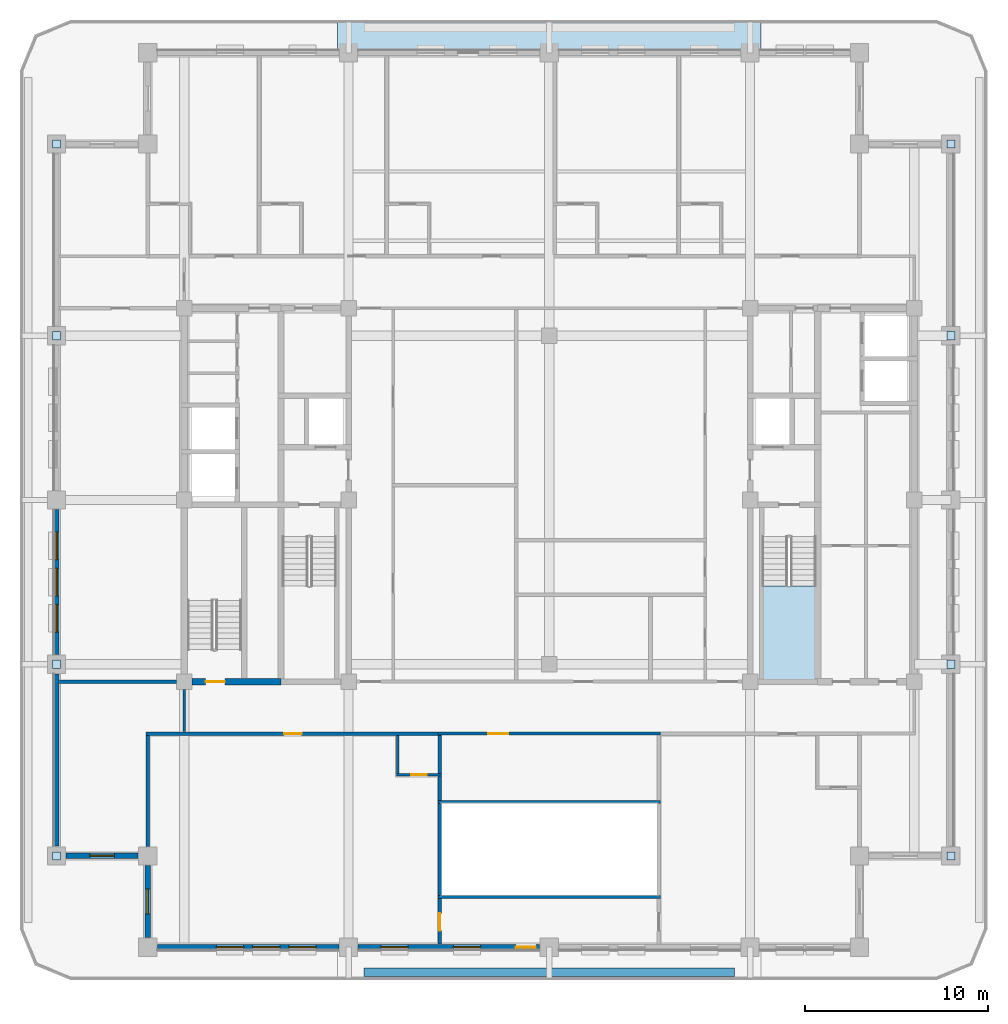
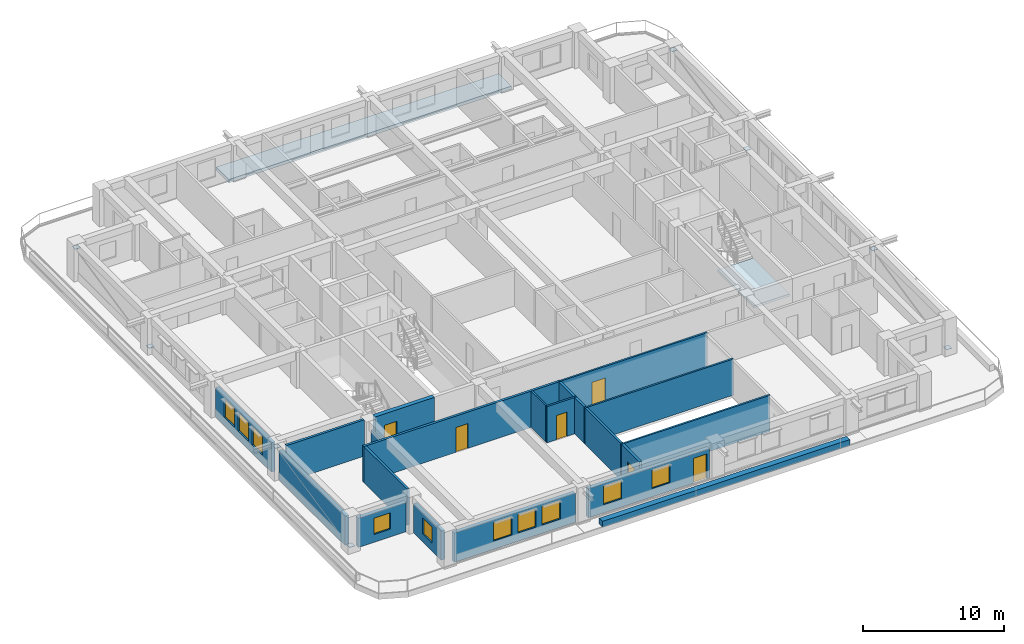
# One storey, part 2 of 14: 21 walls, 10 windows, 8 plates, 6 doors, 2 slabs, 16 openings, 1 element without a shape of its own.
"""IFC4 building model written with IfcOpenShell, lengths in metres."""

from ifc_helpers import new_model, si_unit, direction, frame, frame_2d, origin, origin_2d, place, context, subcontext, project, spatial, polyline, rectangle, outline, extrude, material, layer, layer_set, type_object, element, fill, aggregate, save


model = new_model("IFC4")

# Units and contexts
model_context = context("Model", 3, precision=1e-05, world=origin(), true_north=direction((0.0, 1.0)))
body_context = subcontext(model_context, "Body", "Model", "MODEL_VIEW")
ifc_project = project(units=[si_unit("LENGTHUNIT", "METRE"), si_unit("AREAUNIT", "SQUARE_METRE"), si_unit("VOLUMEUNIT", "CUBIC_METRE"), si_unit("PLANEANGLEUNIT", "RADIAN"), si_unit("MASSUNIT", "GRAM", prefix="KILO")], contexts=[model_context])

# Site, building, storey
site_placement = place(None, origin())
site = spatial("IfcSite", under=ifc_project, at=site_placement, CompositionType="ELEMENT")
building_placement = place(site_placement, origin())
building = spatial("IfcBuilding", under=site, at=building_placement, Name="Zulmaris Gate Convention Tower", CompositionType="ELEMENT")
storey_placement = place(building_placement, frame((0.0, 0.0, 215.260009765625)))
storey = spatial("IfcBuildingStorey", under=building, at=storey_placement, Name="L56", CompositionType="ELEMENT", Elevation=215.260009765625)

# Plates
ifc_material_1 = material(Name="Steel S460", Category="steel")
ifc_layer_1 = layer(ifc_material_1, 0.02490234375, Name="Steel S460")
ifc_layer_set_1 = layer_set([ifc_layer_1], Name="Steel S460")
plate_type = type_object("IfcPlateType", Name="NP-CAP-440", PredefinedType="USERDEFINED", material=ifc_layer_set_1)
for number, where, z_axis, x_axis, name in (
    (1, (-27.0, -19.5, 0.28759765625), (0.0, 0.0, 1.0), (1.0, 0.0, 0.0), "L56 Steel Node Plate PBR-L56-SW-W-CAP"),
    (2, (-27.0, -9.0, 2.517333984375), (0.0, 0.0, 1.0), (1.0, 0.0, 0.0), "L56 Steel Node Plate PBR-L56-SW-W-CAPB"),
    (3, (-27.0, 9.0, 0.28759765625), (0.0, 0.0, 1.0), (1.0, 0.0, 0.0), "L56 Steel Node Plate PBR-L56-NW-W-CAP"),
    (4, (-27.0, 19.5, 2.517333984375), (0.0, 0.0, 1.0), (1.0, 0.0, 0.0), "L56 Steel Node Plate PBR-L56-NW-W-CAPB"),
    (5, (22.0, -19.5, 0.28759765625), (0.0, 0.0, 1.0), (1.0, 0.0, 0.0), "L56 Steel Node Plate PBR-L56-SE-E-CAP"),
    (6, (22.0, -9.0, 2.517333984375), (0.0, 0.0, 1.0), (1.0, 0.0, 0.0), "L56 Steel Node Plate PBR-L56-SE-E-CAPB"),
    (7, (22.0, 9.0, 0.28759765625), (0.0, 0.0, 1.0), (1.0, 0.0, 0.0), "L56 Steel Node Plate PBR-L56-NE-E-CAP"),
    (8, (22.0, 19.5, 2.517333984375), (0.0, 0.0, 1.0), (1.0, 0.0, 0.0), "L56 Steel Node Plate PBR-L56-NE-E-CAPB"),
):
    element("IfcPlate", number, at=place(storey_placement, frame(where, z_axis=z_axis, x_axis=x_axis)), inside=storey, type_object=plate_type, Name=name, ObjectType="FLANGE PLATE", PredefinedType="USERDEFINED", context=body_context, shape_type="SweptSolid", body=[
        extrude(rectangle(XDim=0.43994140625, YDim=0.43994140625, at=origin_2d()), origin(), (0.0, 0.0, 1.0), 0.02490234375),
    ])

# Slab
ifc_material_2 = material(Name="Precast concrete C50/60", Category="concrete")
ifc_layer_2 = layer(ifc_material_2, 0.260009765625, Name="Precast concrete C50/60")
ifc_layer_set_2 = layer_set([ifc_layer_2], Name="Precast concrete C50/60")
slab_type_1 = type_object("IfcSlabType", Name="SL-BAL-260", PredefinedType="FLOOR", material=ifc_layer_set_2)
slab_1_placement = place(storey_placement, frame((0.0, 0.0, -0.324951171875)))
element("IfcSlab", 9, at=slab_1_placement, inside=storey, type_object=slab_type_1, Name="L56 North Tree-Balcony Planter Slab", PredefinedType="FLOOR", context=body_context, shape_type="SweptSolid", body=[
    extrude(outline(polyline([(11.597900390625, 26.300048828125), (11.597900390625, 24.5), (-11.597900390625, 24.5), (-11.597900390625, 26.300048828125), (11.597900390625, 26.300048828125)])), origin(), (0.0, 0.0, 1.0), 0.284912109375),
])

# Stair, slab
ifc_material_3 = material(Name="Concrete C45/55", Category="concrete")
stair_type = type_object("IfcStairType", Name="ST-CORE-DOGLEG", PredefinedType="HALF_TURN_STAIR", material=ifc_material_3)
stair_placement = place(storey_placement, origin())
stair = element("IfcStair", 10, at=stair_placement, inside=storey, type_object=stair_type, Name="L56 Core Exit Stair ST-2", PredefinedType="HALF_TURN_STAIR")
ifc_layer_3 = layer(ifc_material_3, 0.199951171875, Name="Concrete C45/55")
ifc_layer_set_3 = layer_set([ifc_layer_3], Name="Concrete C45/55")
slab_type_2 = type_object("IfcSlabType", Name="SL-LND-200", PredefinedType="LANDING", material=ifc_layer_set_3)
slab_2_placement = place(storey_placement, frame((0.0, 0.0, 1.5)))
slab_2 = element("IfcSlab", 11, at=slab_2_placement, type_object=slab_type_2, Name="ST-2 landing 1", PredefinedType="LANDING", context=body_context, shape_type="SweptSolid", body=[
    extrude(outline(polyline([(11.659912109375, -4.699951171875), (11.659912109375, -9.85009765625), (14.6201171875, -9.85009765625), (14.6201171875, -4.699951171875), (11.659912109375, -4.699951171875)])), origin(), (0.0, 0.0, 1.0), 0.199951171875),
])
aggregate(stair, [slab_2])

# Wall, opening, door
ifc_material_4 = material(Name="Concrete C55/67", Category="concrete")
ifc_layer_4 = layer(ifc_material_4, 0.35009765625, Name="Concrete C55/67")
ifc_layer_set_4 = layer_set([ifc_layer_4], Name="Concrete C55/67")
wall_type_1 = type_object("IfcWallType", Name="CORE-350", PredefinedType="SHEAR", material=ifc_layer_set_4)
wall_1_placement = place(storey_placement, frame((-19.571044921875, -9.949951171875, 0.0), z_axis=(0.0, 0.0, 1.0), x_axis=(1.0, 0.0, 0.0)))
wall_1 = element("IfcWall", 12, at=wall_1_placement, inside=storey, type_object=wall_type_1, Name="WL-L56-001", PredefinedType="SHEAR", context=body_context, shape_type="SweptSolid", body=[
    extrude(rectangle(XDim=4.87109375, YDim=0.35009765625, at=frame_2d((2.435546875, 0.0))), origin(), (0.0, 0.0, 1.0), 3.14990234375),
])
opening_1_placement = place(wall_1_placement, frame((0.74609375, 0.0, 0.0)))
opening_1 = element("IfcOpeningElement", 13, at=opening_1_placement, cuts=wall_1, Name="Opening D-09", PredefinedType="OPENING", context=body_context, shape_type="SweptSolid", body=[
    extrude(rectangle(XDim=1.050048828125, YDim=2.14990234375, at=frame_2d((0.52490234375, 1.074951171875))), frame((0.0, 0.18505859375, 0.0), z_axis=(0.0, -1.0, 0.0), x_axis=(1.0, 0.0, 0.0)), (0.0, 0.0, 1.0), 0.3701171875),
])
ifc_material_5 = material(Name="Fire-Rated Steel", Category="steel")
door_type_1 = type_object("IfcDoorType", Name="DR-1050-FD", OperationType="NOTDEFINED", PredefinedType="DOOR", material=ifc_material_5)
door_1_placement = place(opening_1_placement, origin())
door_1 = element("IfcDoor", 14, at=door_1_placement, inside=storey, type_object=door_type_1, Name="L56 Exit Stair ST-3 Door 10", OperationType="SINGLE_SWING_LEFT", OverallHeight=2.14990234375, OverallWidth=1.050048828125, PredefinedType="DOOR", context=body_context, shape_type="SweptSolid", body=[
    extrude(rectangle(XDim=1.050048828125, YDim=2.14990234375, at=frame_2d((0.52490234375, 1.074951171875))), frame((0.0, 0.02490234375, 0.0), z_axis=(0.0, -1.0, 0.0), x_axis=(1.0, 0.0, 0.0)), (0.0, 0.0, 1.0), 0.050048828125),
])
fill(opening_1, door_1)

# Walls
ifc_material_6 = material(Name="Gypsum Metal Stud Partition")
ifc_layer_5 = layer(ifc_material_6, 0.14990234375, Name="Gypsum Metal Stud Partition")
ifc_layer_set_5 = layer_set([ifc_layer_5], Name="Gypsum Metal Stud Partition")
wall_type_2 = type_object("IfcWallType", Name="PART-150", PredefinedType="PARTITIONING", material=ifc_layer_set_5)
for number, where, z_axis, x_axis, name in (
    (15, (-6.10009765625, -21.75, 0.0), (0.0, 0.0, 1.0), (1.0, 0.0, 0.0), "WL-L56-019"),
    (16, (-6.10009765625, -16.550048828125, 0.0), (0.0, 0.0, 1.0), (1.0, 0.0, 0.0), "WL-L56-020"),
):
    element("IfcWall", number, at=place(storey_placement, frame(where, z_axis=z_axis, x_axis=x_axis)), inside=storey, type_object=wall_type_2, Name=name, PredefinedType="PARTITIONING", context=body_context, shape_type="SweptSolid", body=[
        extrude(rectangle(XDim=12.2001953125, YDim=0.14990234375, at=frame_2d((6.10009765625, 0.0))), origin(), (0.0, 0.0, 1.0), 3.14990234375),
    ])

# Wall, opening, door
wall_2_placement = place(storey_placement, frame((-8.375, -15.050048828125, 0.0), z_axis=(0.0, 0.0, 1.0), x_axis=(1.0, 0.0, 0.0)))
wall_2 = element("IfcWall", 17, at=wall_2_placement, inside=storey, type_object=wall_type_2, Name="WL-L56-022", PredefinedType="PARTITIONING", context=body_context, shape_type="SweptSolid", body=[
    extrude(rectangle(XDim=2.47509765625, YDim=0.14990234375, at=frame_2d((1.237548828125, 0.0))), origin(), (0.0, 0.0, 1.0), 3.14990234375),
])
opening_2_placement = place(wall_2_placement, frame((0.800048828125, 0.0, 0.0)))
opening_2 = element("IfcOpeningElement", 18, at=opening_2_placement, cuts=wall_2, Name="Opening D-17", PredefinedType="OPENING", context=body_context, shape_type="SweptSolid", body=[
    extrude(rectangle(XDim=0.85009765625, YDim=2.10009765625, at=frame_2d((0.425048828125, 1.050048828125))), frame((0.0, 0.0849609375, 0.0), z_axis=(0.0, -1.0, 0.0), x_axis=(1.0, 0.0, 0.0)), (0.0, 0.0, 1.0), 0.169921875),
])
ifc_material_7 = material(Name="Moisture-Resistant Hardwood Timber", Category="wood")
door_type_2 = type_object("IfcDoorType", Name="DR-850", OperationType="NOTDEFINED", PredefinedType="DOOR", material=ifc_material_7)
door_2_placement = place(opening_2_placement, origin())
door_2 = element("IfcDoor", 19, at=door_2_placement, inside=storey, type_object=door_type_2, Name="L56 En-Suite Door 42", OperationType="SINGLE_SWING_LEFT", OverallHeight=2.10009765625, OverallWidth=0.85009765625, PredefinedType="DOOR", context=body_context, shape_type="SweptSolid", body=[
    extrude(rectangle(XDim=0.85009765625, YDim=2.10009765625, at=frame_2d((0.425048828125, 1.050048828125))), frame((0.0, 0.02490234375, 0.0), z_axis=(0.0, -1.0, 0.0), x_axis=(1.0, 0.0, 0.0)), (0.0, 0.0, 1.0), 0.050048828125),
])
fill(opening_2, door_2)

wall_3_placement = place(storey_placement, frame((-6.10009765625, -12.800048828125, 0.0), z_axis=(0.0, 0.0, 1.0), x_axis=(1.0, 0.0, 0.0)))
wall_3 = element("IfcWall", 20, at=wall_3_placement, inside=storey, type_object=wall_type_2, Name="WL-L56-024", PredefinedType="PARTITIONING", context=body_context, shape_type="SweptSolid", body=[
    extrude(rectangle(XDim=12.2001953125, YDim=0.14990234375, at=frame_2d((6.10009765625, 0.0))), origin(), (0.0, 0.0, 1.0), 3.14990234375),
])
opening_3_placement = place(wall_3_placement, frame((2.75, 0.0, 0.0)))
opening_3 = element("IfcOpeningElement", 21, at=opening_3_placement, cuts=wall_3, Name="Opening D-08", PredefinedType="OPENING", context=body_context, shape_type="SweptSolid", body=[
    extrude(rectangle(XDim=1.10009765625, YDim=2.14990234375, at=frame_2d((0.550048828125, 1.074951171875))), frame((0.0, 0.0849609375, 0.0), z_axis=(0.0, -1.0, 0.0), x_axis=(1.0, 0.0, 0.0)), (0.0, 0.0, 1.0), 0.169921875),
])
door_type_3 = type_object("IfcDoorType", Name="DR-1100-FD", OperationType="NOTDEFINED", PredefinedType="DOOR", material=ifc_material_5)
door_3_placement = place(opening_3_placement, origin())
door_3 = element("IfcDoor", 22, at=door_3_placement, inside=storey, type_object=door_type_3, Name="L56 Overlook Lounge Door 40", OperationType="SINGLE_SWING_LEFT", OverallHeight=2.14990234375, OverallWidth=1.10009765625, PredefinedType="DOOR", context=body_context, shape_type="SweptSolid", body=[
    extrude(rectangle(XDim=1.10009765625, YDim=2.14990234375, at=frame_2d((0.550048828125, 1.074951171875))), frame((0.0, 0.02490234375, 0.0), z_axis=(0.0, -1.0, 0.0), x_axis=(1.0, 0.0, 0.0)), (0.0, 0.0, 1.0), 0.050048828125),
])
fill(opening_3, door_3)

# Walls
wall_4_placement = place(storey_placement, frame((-20.0, -12.697021484375, 0.0), z_axis=(0.0, 0.0, 1.0), x_axis=(0.0, 1.0, 0.0)))
element("IfcWall", 23, at=wall_4_placement, inside=storey, type_object=wall_type_2, Name="WL-L56-081", PredefinedType="PARTITIONING", context=body_context, shape_type="SweptSolid", body=[
    extrude(rectangle(XDim=2.31591796875, YDim=0.14990234375, at=frame_2d((1.157958984375, 0.0))), origin(), (0.0, 0.0, 1.0), 2.341796875),
])
wall_5_placement = place(storey_placement, frame((-8.300048828125, -14.971923828125, 0.0), z_axis=(0.0, 0.0, 1.0), x_axis=(0.0, 1.0, 0.0)))
element("IfcWall", 24, at=wall_5_placement, inside=storey, type_object=wall_type_2, Name="WL-L56-094", PredefinedType="PARTITIONING", context=body_context, shape_type="SweptSolid", body=[
    extrude(rectangle(XDim=2.06884765625, YDim=0.14990234375, at=frame_2d((1.034423828125, 0.0))), origin(), (0.0, 0.0, 1.0), 3.14990234375),
])

# Wall, opening, door
ifc_material_8 = material(Name="Autoclaved Aerated Concrete Block and Plasterboard", Category="concrete")
ifc_layer_6 = layer(ifc_material_8, 0.199951171875, Name="Autoclaved Aerated Concrete Block and Plasterboard")
ifc_layer_set_6 = layer_set([ifc_layer_6], Name="Autoclaved Aerated Concrete Block and Plasterboard")
wall_type_3 = type_object("IfcWallType", Name="PART-200", PredefinedType="PARTITIONING", material=ifc_layer_set_6)
wall_6_placement = place(storey_placement, frame((-22.10009765625, -12.800048828125, 0.0), z_axis=(0.0, 0.0, 1.0), x_axis=(1.0, 0.0, 0.0)))
wall_6 = element("IfcWall", 25, at=wall_6_placement, inside=storey, type_object=wall_type_3, Name="WL-L56-023", PredefinedType="PARTITIONING", context=body_context, shape_type="SweptSolid", body=[
    extrude(rectangle(XDim=16.2001953125, YDim=0.199951171875, at=frame_2d((8.10009765625, 0.0))), origin(), (0.0, 0.0, 1.0), 3.14990234375),
])
opening_4_placement = place(wall_6_placement, frame((7.574951171875, 0.0, 0.0)))
opening_4 = element("IfcOpeningElement", 26, at=opening_4_placement, cuts=wall_6, Name="Opening D-11", PredefinedType="OPENING", context=body_context, shape_type="SweptSolid", body=[
    extrude(rectangle(XDim=0.949951171875, YDim=2.14990234375, at=frame_2d((0.47509765625, 1.074951171875))), frame((0.0, 0.10986328125, 0.0), z_axis=(0.0, -1.0, 0.0), x_axis=(1.0, 0.0, 0.0)), (0.0, 0.0, 1.0), 0.219970703125),
])
ifc_material_9 = material(Name="Fire-Rated Timber", Category="wood")
door_type_4 = type_object("IfcDoorType", Name="DR-950-FD", OperationType="NOTDEFINED", PredefinedType="DOOR", material=ifc_material_9)
door_4_placement = place(opening_4_placement, origin())
door_4 = element("IfcDoor", 27, at=door_4_placement, inside=storey, type_object=door_type_4, Name="L56 Hotel Executive Suite Door 41", OperationType="SINGLE_SWING_RIGHT", OverallHeight=2.14990234375, OverallWidth=0.949951171875, PredefinedType="DOOR", context=body_context, shape_type="SweptSolid", body=[
    extrude(rectangle(XDim=0.949951171875, YDim=2.14990234375, at=frame_2d((0.47509765625, 1.074951171875))), frame((0.0, 0.02490234375, 0.0), z_axis=(0.0, -1.0, 0.0), x_axis=(1.0, 0.0, 0.0)), (0.0, 0.0, 1.0), 0.050048828125),
])
fill(opening_4, door_4)

# Walls
wall_7_placement = place(storey_placement, frame((-26.8349609375, -9.949951171875, 0.0), z_axis=(0.0, 0.0, 1.0), x_axis=(1.0, 0.0, 0.0)))
element("IfcWall", 28, at=wall_7_placement, inside=storey, type_object=wall_type_3, Name="WL-L56-027", PredefinedType="PARTITIONING", context=body_context, shape_type="SweptSolid", body=[
    extrude(rectangle(XDim=6.404052734375, YDim=0.199951171875, at=frame_2d((3.2021484375, 0.0))), origin(), (0.0, 0.0, 1.0), 3.14990234375),
])
wall_8_placement = place(storey_placement, frame((-22.0, -18.993896484375, 0.0), z_axis=(0.0, 0.0, 1.0), x_axis=(0.0, 1.0, 0.0)))
element("IfcWall", 29, at=wall_8_placement, inside=storey, type_object=wall_type_3, Name="WL-L56-078", PredefinedType="PARTITIONING", context=body_context, shape_type="SweptSolid", body=[
    extrude(rectangle(XDim=6.0908203125, YDim=0.199951171875, at=frame_2d((3.04541015625, 0.0))), origin(), (0.0, 0.0, 1.0), 3.14990234375),
])

# Wall, opening, door
wall_9_placement = place(storey_placement, frame((-6.0, -24.3349609375, 0.0), z_axis=(0.0, 0.0, 1.0), x_axis=(0.0, 1.0, 0.0)))
wall_9 = element("IfcWall", 30, at=wall_9_placement, inside=storey, type_object=wall_type_3, Name="WL-L56-096", PredefinedType="PARTITIONING", context=body_context, shape_type="SweptSolid", body=[
    extrude(rectangle(XDim=2.507080078125, YDim=0.199951171875, at=frame_2d((1.25341796875, 0.0))), origin(), (0.0, 0.0, 1.0), 3.14990234375),
])
opening_5_placement = place(wall_9_placement, frame((0.739990234375, 0.0, 0.0)))
opening_5 = element("IfcOpeningElement", 31, at=opening_5_placement, cuts=wall_9, Name="Opening D-11", PredefinedType="OPENING", context=body_context, shape_type="SweptSolid", body=[
    extrude(rectangle(XDim=0.949951171875, YDim=2.14990234375, at=frame_2d((0.47509765625, 1.074951171875))), frame((0.0, 0.10986328125, 0.0), z_axis=(0.0, -1.0, 0.0), x_axis=(1.0, 0.0, 0.0)), (0.0, 0.0, 1.0), 0.219970703125),
])
door_5_placement = place(opening_5_placement, origin())
door_5 = element("IfcDoor", 32, at=door_5_placement, inside=storey, type_object=door_type_4, Name="L56 Terrace Loggia West Door 38", OperationType="SINGLE_SWING_LEFT", OverallHeight=2.14990234375, OverallWidth=0.949951171875, PredefinedType="DOOR", context=body_context, shape_type="SweptSolid", body=[
    extrude(rectangle(XDim=0.949951171875, YDim=2.14990234375, at=frame_2d((0.47509765625, 1.074951171875))), frame((0.0, 0.02490234375, 0.0), z_axis=(0.0, -1.0, 0.0), x_axis=(1.0, 0.0, 0.0)), (0.0, 0.0, 1.0), 0.050048828125),
])
fill(opening_5, door_5)

# Walls
wall_10_placement = place(storey_placement, frame((-6.0, -21.672119140625, 0.0), z_axis=(0.0, 0.0, 1.0), x_axis=(0.0, 1.0, 0.0)))
element("IfcWall", 33, at=wall_10_placement, inside=storey, type_object=wall_type_3, Name="WL-L56-097", PredefinedType="PARTITIONING", context=body_context, shape_type="SweptSolid", body=[
    extrude(rectangle(XDim=5.044189453125, YDim=0.199951171875, at=frame_2d((2.52197265625, 0.0))), origin(), (0.0, 0.0, 1.0), 3.14990234375),
])
wall_11_placement = place(storey_placement, frame((-6.0, -16.471923828125, 0.0), z_axis=(0.0, 0.0, 1.0), x_axis=(0.0, 1.0, 0.0)))
element("IfcWall", 34, at=wall_11_placement, inside=storey, type_object=wall_type_3, Name="WL-L56-098", PredefinedType="PARTITIONING", context=body_context, shape_type="SweptSolid", body=[
    extrude(rectangle(XDim=1.343994140625, YDim=0.199951171875, at=frame_2d((0.671875, 0.0))), origin(), (0.0, 0.0, 1.0), 3.14990234375),
])
wall_12_placement = place(storey_placement, frame((-6.0, -14.971923828125, 0.0), z_axis=(0.0, 0.0, 1.0), x_axis=(0.0, 1.0, 0.0)))
element("IfcWall", 35, at=wall_12_placement, inside=storey, type_object=wall_type_3, Name="WL-L56-099", PredefinedType="PARTITIONING", context=body_context, shape_type="SweptSolid", body=[
    extrude(rectangle(XDim=2.06884765625, YDim=0.199951171875, at=frame_2d((1.034423828125, 0.0))), origin(), (0.0, 0.0, 1.0), 3.14990234375),
])
ifc_material_10 = material(Name="Botanical Green Glazed Precast Concrete C40/50", Category="concrete")
ifc_layer_7 = layer(ifc_material_10, 0.419921875, Name="Botanical Green Glazed Precast Concrete C40/50")
ifc_layer_set_7 = layer_set([ifc_layer_7], Name="Botanical Green Glazed Precast Concrete C40/50")
wall_type_4 = type_object("IfcWallType", Name="PLANTER-CURB-200", PredefinedType="PARAPET", material=ifc_layer_set_7)
wall_13_placement = place(storey_placement, frame((-10.14990234375, -25.8798828125, -0.0400390625), z_axis=(0.0, 0.0, 1.0), x_axis=(1.0, 0.0, 0.0)))
element("IfcWall", 36, at=wall_13_placement, inside=storey, type_object=wall_type_4, Name="L56 Full-Length Balcony Tree Planter Trough", PredefinedType="PARAPET", context=body_context, shape_type="SweptSolid", body=[
    extrude(rectangle(XDim=20.2998046875, YDim=0.47998046875, at=frame_2d((10.14990234375, 0.0))), origin(), (0.0, 0.0, 1.0), 0.52001953125),
])

# Wall, opening, window
ifc_material_11 = material(Name="Precast concrete C40/50", Category="concrete")
ifc_layer_8 = layer(ifc_material_11, 0.300048828125, Name="Precast concrete C40/50")
ifc_layer_set_8 = layer_set([ifc_layer_8], Name="Precast concrete C40/50")
wall_type_5 = type_object("IfcWallType", Name="PRECAST-PIER-300", PredefinedType="STANDARD", material=ifc_layer_set_8)
wall_14_placement = place(storey_placement, frame((-26.469970703125, -19.5, 0.0), z_axis=(0.0, 0.0, 1.0), x_axis=(1.0, 0.0, 0.0)))
wall_14 = element("IfcWall", 37, at=wall_14_placement, inside=storey, type_object=wall_type_5, Name="EW-L56-NOTCH-SW1_0", PredefinedType="STANDARD", context=body_context, shape_type="SweptSolid", body=[
    extrude(rectangle(XDim=3.93994140625, YDim=0.300048828125, at=frame_2d((1.969970703125, 0.0))), origin(), (0.0, 0.0, 1.0), 2.5419921875),
])
opening_6_placement = place(wall_14_placement, frame((1.294921875, 0.0, 0.679931640625)))
opening_6 = element("IfcOpeningElement", 38, at=opening_6_placement, cuts=wall_14, Name="Opening W-10", PredefinedType="OPENING", context=body_context, shape_type="SweptSolid", body=[
    extrude(rectangle(XDim=1.35009765625, YDim=1.419921875, at=frame_2d((0.675048828125, 0.7099609375))), frame((0.0, 0.16015625, 0.0), z_axis=(0.0, -1.0, 0.0), x_axis=(1.0, 0.0, 0.0)), (0.0, 0.0, 1.0), 0.320068359375),
])
ifc_material_12 = material(Name="Low-E Laminated Double Glazing in Aluminium Frame", Category="aluminium")
window_type_1 = type_object("IfcWindowType", Name="WIN-1350x2000", PartitioningType="SINGLE_PANEL", PredefinedType="WINDOW", material=ifc_material_12)
window_1_placement = place(opening_6_placement, origin())
window_1 = element("IfcWindow", 39, at=window_1_placement, inside=storey, type_object=window_type_1, Name="WN-EW-L56-NOTCH-SW1_0", OverallHeight=1.419921875, OverallWidth=1.35009765625, PartitioningType="SINGLE_PANEL", PredefinedType="WINDOW", context=body_context, shape_type="SweptSolid", body=[
    extrude(rectangle(XDim=1.35009765625, YDim=1.419921875, at=frame_2d((0.675048828125, 0.7099609375))), frame((0.0, 0.030029296875, 0.0), z_axis=(0.0, -1.0, 0.0), x_axis=(1.0, 0.0, 0.0)), (0.0, 0.0, 1.0), 0.06005859375),
])
fill(opening_6, window_1)

wall_15_placement = place(storey_placement, frame((-22.0, -20.030029296875, 0.0), z_axis=(0.0, 0.0, 1.0), x_axis=(0.0, -1.0, 0.0)))
wall_15 = element("IfcWall", 40, at=wall_15_placement, inside=storey, type_object=wall_type_5, Name="EW-L56-NOTCH-SW2_0", PredefinedType="STANDARD", context=body_context, shape_type="SweptSolid", body=[
    extrude(rectangle(XDim=3.93994140625, YDim=0.300048828125, at=frame_2d((1.969970703125, 0.0))), origin(), (0.0, 0.0, 1.0), 2.5419921875),
])
opening_7_placement = place(wall_15_placement, frame((1.294921875, 0.0, 0.679931640625)))
opening_7 = element("IfcOpeningElement", 41, at=opening_7_placement, cuts=wall_15, Name="Opening W-10", PredefinedType="OPENING", context=body_context, shape_type="SweptSolid", body=[
    extrude(rectangle(XDim=1.35009765625, YDim=1.419921875, at=frame_2d((0.675048828125, 0.7099609375))), frame((0.0, 0.16015625, 0.0), z_axis=(0.0, -1.0, 0.0), x_axis=(1.0, 0.0, 0.0)), (0.0, 0.0, 1.0), 0.320068359375),
])
window_2_placement = place(opening_7_placement, origin())
window_2 = element("IfcWindow", 42, at=window_2_placement, inside=storey, type_object=window_type_1, Name="WN-EW-L56-NOTCH-SW2_0", OverallHeight=1.419921875, OverallWidth=1.35009765625, PartitioningType="SINGLE_PANEL", PredefinedType="WINDOW", context=body_context, shape_type="SweptSolid", body=[
    extrude(rectangle(XDim=1.35009765625, YDim=1.419921875, at=frame_2d((0.675048828125, 0.7099609375))), frame((0.0, 0.030029296875, 0.0), z_axis=(0.0, -1.0, 0.0), x_axis=(1.0, 0.0, 0.0)), (0.0, 0.0, 1.0), 0.06005859375),
])
fill(opening_7, window_2)

# Wall, openings, windows
wall_16_placement = place(storey_placement, frame((-21.469970703125, -24.5, 0.0), z_axis=(0.0, 0.0, 1.0), x_axis=(1.0, 0.0, 0.0)))
wall_16 = element("IfcWall", 43, at=wall_16_placement, inside=storey, type_object=wall_type_5, Name="EW-L56-S-0_0", PredefinedType="STANDARD", context=body_context, shape_type="SweptSolid", body=[
    extrude(rectangle(XDim=9.93994140625, YDim=0.300048828125, at=frame_2d((4.969970703125, 0.0))), origin(), (0.0, 0.0, 1.0), 2.5419921875),
])
opening_8_placement = place(wall_16_placement, frame((3.22607421875, 0.0, 0.719970703125)))
opening_8 = element("IfcOpeningElement", 44, at=opening_8_placement, cuts=wall_16, Name="Opening W-03", PredefinedType="OPENING", context=body_context, shape_type="SweptSolid", body=[
    extrude(rectangle(XDim=1.5, YDim=1.60009765625, at=frame_2d((0.75, 0.800048828125))), frame((0.0, 0.16015625, 0.0), z_axis=(0.0, -1.0, 0.0), x_axis=(1.0, 0.0, 0.0)), (0.0, 0.0, 1.0), 0.320068359375),
])
opening_9_placement = place(wall_16_placement, frame((5.214111328125, 0.0, 0.719970703125)))
opening_9 = element("IfcOpeningElement", 45, at=opening_9_placement, cuts=wall_16, Name="Opening W-03", PredefinedType="OPENING", context=body_context, shape_type="SweptSolid", body=[
    extrude(rectangle(XDim=1.5, YDim=1.60009765625, at=frame_2d((0.75, 0.800048828125))), frame((0.0, 0.16015625, 0.0), z_axis=(0.0, -1.0, 0.0), x_axis=(1.0, 0.0, 0.0)), (0.0, 0.0, 1.0), 0.320068359375),
])
opening_10_placement = place(wall_16_placement, frame((7.201904296875, 0.0, 0.719970703125)))
opening_10 = element("IfcOpeningElement", 46, at=opening_10_placement, cuts=wall_16, Name="Opening W-03", PredefinedType="OPENING", context=body_context, shape_type="SweptSolid", body=[
    extrude(rectangle(XDim=1.5, YDim=1.60009765625, at=frame_2d((0.75, 0.800048828125))), frame((0.0, 0.16015625, 0.0), z_axis=(0.0, -1.0, 0.0), x_axis=(1.0, 0.0, 0.0)), (0.0, 0.0, 1.0), 0.320068359375),
])
window_type_2 = type_object("IfcWindowType", Name="WIN-1500x2100", PartitioningType="SINGLE_PANEL", PredefinedType="WINDOW", material=ifc_material_12)
window_3_placement = place(opening_8_placement, origin())
window_3 = element("IfcWindow", 47, at=window_3_placement, inside=storey, type_object=window_type_2, Name="WN-EW-L56-S-0_0-2", OverallHeight=1.60009765625, OverallWidth=1.5, PartitioningType="SINGLE_PANEL", PredefinedType="WINDOW", context=body_context, shape_type="SweptSolid", body=[
    extrude(rectangle(XDim=1.5, YDim=1.60009765625, at=frame_2d((0.75, 0.800048828125))), frame((0.0, 0.030029296875, 0.0), z_axis=(0.0, -1.0, 0.0), x_axis=(1.0, 0.0, 0.0)), (0.0, 0.0, 1.0), 0.06005859375),
])
fill(opening_8, window_3)
window_4_placement = place(opening_9_placement, origin())
window_4 = element("IfcWindow", 48, at=window_4_placement, inside=storey, type_object=window_type_2, Name="WN-EW-L56-S-0_0-3", OverallHeight=1.60009765625, OverallWidth=1.5, PartitioningType="SINGLE_PANEL", PredefinedType="WINDOW", context=body_context, shape_type="SweptSolid", body=[
    extrude(rectangle(XDim=1.5, YDim=1.60009765625, at=frame_2d((0.75, 0.800048828125))), frame((0.0, 0.030029296875, 0.0), z_axis=(0.0, -1.0, 0.0), x_axis=(1.0, 0.0, 0.0)), (0.0, 0.0, 1.0), 0.06005859375),
])
fill(opening_9, window_4)
window_5_placement = place(opening_10_placement, origin())
window_5 = element("IfcWindow", 49, at=window_5_placement, inside=storey, type_object=window_type_2, Name="WN-EW-L56-S-0_0-4", OverallHeight=1.60009765625, OverallWidth=1.5, PartitioningType="SINGLE_PANEL", PredefinedType="WINDOW", context=body_context, shape_type="SweptSolid", body=[
    extrude(rectangle(XDim=1.5, YDim=1.60009765625, at=frame_2d((0.75, 0.800048828125))), frame((0.0, 0.030029296875, 0.0), z_axis=(0.0, -1.0, 0.0), x_axis=(1.0, 0.0, 0.0)), (0.0, 0.0, 1.0), 0.06005859375),
])
fill(opening_10, window_5)

# Wall, openings, door, windows
wall_17_placement = place(storey_placement, frame((-10.469970703125, -24.5, 0.0), z_axis=(0.0, 0.0, 1.0), x_axis=(1.0, 0.0, 0.0)))
wall_17 = element("IfcWall", 50, at=wall_17_placement, inside=storey, type_object=wall_type_5, Name="EW-L56-S-1_0", PredefinedType="STANDARD", context=body_context, shape_type="SweptSolid", body=[
    extrude(rectangle(XDim=9.93994140625, YDim=0.300048828125, at=frame_2d((4.969970703125, 0.0))), origin(), (0.0, 0.0, 1.0), 2.5419921875),
])
opening_11_placement = place(wall_17_placement, frame((8.639892578125, 0.0, 0.0)))
opening_11 = element("IfcOpeningElement", 51, at=opening_11_placement, cuts=wall_17, Name="Opening D-04", PredefinedType="OPENING", context=body_context, shape_type="SweptSolid", body=[
    extrude(rectangle(XDim=1.10009765625, YDim=2.14990234375, at=frame_2d((0.550048828125, 1.074951171875))), frame((0.0, 0.16015625, 0.0), z_axis=(0.0, -1.0, 0.0), x_axis=(1.0, 0.0, 0.0)), (0.0, 0.0, 1.0), 0.320068359375),
])
opening_12_placement = place(wall_17_placement, frame((1.238037109375, 0.0, 0.719970703125)))
opening_12 = element("IfcOpeningElement", 52, at=opening_12_placement, cuts=wall_17, Name="Opening W-03", PredefinedType="OPENING", context=body_context, shape_type="SweptSolid", body=[
    extrude(rectangle(XDim=1.5, YDim=1.60009765625, at=frame_2d((0.75, 0.800048828125))), frame((0.0, 0.16015625, 0.0), z_axis=(0.0, -1.0, 0.0), x_axis=(1.0, 0.0, 0.0)), (0.0, 0.0, 1.0), 0.320068359375),
])
opening_13_placement = place(wall_17_placement, frame((5.214111328125, 0.0, 0.719970703125)))
opening_13 = element("IfcOpeningElement", 53, at=opening_13_placement, cuts=wall_17, Name="Opening W-03", PredefinedType="OPENING", context=body_context, shape_type="SweptSolid", body=[
    extrude(rectangle(XDim=1.5, YDim=1.60009765625, at=frame_2d((0.75, 0.800048828125))), frame((0.0, 0.16015625, 0.0), z_axis=(0.0, -1.0, 0.0), x_axis=(1.0, 0.0, 0.0)), (0.0, 0.0, 1.0), 0.320068359375),
])
ifc_material_13 = material(Name="Anodised Aluminium and Laminated Glass", Category="aluminium")
door_type_5 = type_object("IfcDoorType", Name="ED-1100", OperationType="SINGLE_SWING_RIGHT", PredefinedType="DOOR", material=ifc_material_13)
door_6_placement = place(opening_11_placement, origin())
door_6 = element("IfcDoor", 54, at=door_6_placement, inside=storey, type_object=door_type_5, Name="L56 S Planted Terrace Door", OperationType="SINGLE_SWING_RIGHT", OverallHeight=2.14990234375, OverallWidth=1.10009765625, PredefinedType="DOOR", context=body_context, shape_type="SweptSolid", body=[
    extrude(rectangle(XDim=1.10009765625, YDim=2.14990234375, at=frame_2d((0.550048828125, 1.074951171875))), frame((0.0, 0.02490234375, 0.0), z_axis=(0.0, -1.0, 0.0), x_axis=(1.0, 0.0, 0.0)), (0.0, 0.0, 1.0), 0.050048828125),
])
fill(opening_11, door_6)
window_6_placement = place(opening_12_placement, origin())
window_6 = element("IfcWindow", 55, at=window_6_placement, inside=storey, type_object=window_type_2, Name="WN-EW-L56-S-1_0-1", OverallHeight=1.60009765625, OverallWidth=1.5, PartitioningType="SINGLE_PANEL", PredefinedType="WINDOW", context=body_context, shape_type="SweptSolid", body=[
    extrude(rectangle(XDim=1.5, YDim=1.60009765625, at=frame_2d((0.75, 0.800048828125))), frame((0.0, 0.030029296875, 0.0), z_axis=(0.0, -1.0, 0.0), x_axis=(1.0, 0.0, 0.0)), (0.0, 0.0, 1.0), 0.06005859375),
])
fill(opening_12, window_6)
window_7_placement = place(opening_13_placement, origin())
window_7 = element("IfcWindow", 56, at=window_7_placement, inside=storey, type_object=window_type_2, Name="WN-EW-L56-S-1_0-3", OverallHeight=1.60009765625, OverallWidth=1.5, PartitioningType="SINGLE_PANEL", PredefinedType="WINDOW", context=body_context, shape_type="SweptSolid", body=[
    extrude(rectangle(XDim=1.5, YDim=1.60009765625, at=frame_2d((0.75, 0.800048828125))), frame((0.0, 0.030029296875, 0.0), z_axis=(0.0, -1.0, 0.0), x_axis=(1.0, 0.0, 0.0)), (0.0, 0.0, 1.0), 0.06005859375),
])
fill(opening_13, window_7)

# Wall
wall_18_placement = place(storey_placement, frame((-27.0, -9.530029296875, 0.0), z_axis=(0.0, 0.0, 1.0), x_axis=(0.0, -1.0, 0.0)))
element("IfcWall", 57, at=wall_18_placement, inside=storey, type_object=wall_type_5, Name="EW-L56-W-0_0", PredefinedType="STANDARD", context=body_context, shape_type="SweptSolid", body=[
    extrude(rectangle(XDim=9.43994140625, YDim=0.300048828125, at=frame_2d((4.719970703125, 0.0))), origin(), (0.0, 0.0, 1.0), 2.5419921875),
])

# Wall, openings, windows
wall_19_placement = place(storey_placement, frame((-27.0, -0.530029296875, 0.0), z_axis=(0.0, 0.0, 1.0), x_axis=(0.0, -1.0, 0.0)))
wall_19 = element("IfcWall", 58, at=wall_19_placement, inside=storey, type_object=wall_type_5, Name="EW-L56-W-1_0", PredefinedType="STANDARD", context=body_context, shape_type="SweptSolid", body=[
    extrude(rectangle(XDim=7.93994140625, YDim=0.300048828125, at=frame_2d((3.969970703125, 0.0))), origin(), (0.0, 0.0, 1.0), 2.5419921875),
])
opening_14_placement = place(wall_19_placement, frame((1.235107421875, 0.0, 0.719970703125)))
opening_14 = element("IfcOpeningElement", 59, at=opening_14_placement, cuts=wall_19, Name="Opening W-03", PredefinedType="OPENING", context=body_context, shape_type="SweptSolid", body=[
    extrude(rectangle(XDim=1.5, YDim=1.60009765625, at=frame_2d((0.75, 0.800048828125))), frame((0.0, 0.16015625, 0.0), z_axis=(0.0, -1.0, 0.0), x_axis=(1.0, 0.0, 0.0)), (0.0, 0.0, 1.0), 0.320068359375),
])
opening_15_placement = place(wall_19_placement, frame((3.219970703125, 0.0, 0.719970703125)))
opening_15 = element("IfcOpeningElement", 60, at=opening_15_placement, cuts=wall_19, Name="Opening W-03", PredefinedType="OPENING", context=body_context, shape_type="SweptSolid", body=[
    extrude(rectangle(XDim=1.5, YDim=1.60009765625, at=frame_2d((0.75, 0.800048828125))), frame((0.0, 0.16015625, 0.0), z_axis=(0.0, -1.0, 0.0), x_axis=(1.0, 0.0, 0.0)), (0.0, 0.0, 1.0), 0.320068359375),
])
opening_16_placement = place(wall_19_placement, frame((5.205078125, 0.0, 0.719970703125)))
opening_16 = element("IfcOpeningElement", 61, at=opening_16_placement, cuts=wall_19, Name="Opening W-03", PredefinedType="OPENING", context=body_context, shape_type="SweptSolid", body=[
    extrude(rectangle(XDim=1.5, YDim=1.60009765625, at=frame_2d((0.75, 0.800048828125))), frame((0.0, 0.16015625, 0.0), z_axis=(0.0, -1.0, 0.0), x_axis=(1.0, 0.0, 0.0)), (0.0, 0.0, 1.0), 0.320068359375),
])
window_8_placement = place(opening_14_placement, origin())
window_8 = element("IfcWindow", 62, at=window_8_placement, inside=storey, type_object=window_type_2, Name="WN-EW-L56-W-1_0-1", OverallHeight=1.60009765625, OverallWidth=1.5, PartitioningType="SINGLE_PANEL", PredefinedType="WINDOW", context=body_context, shape_type="SweptSolid", body=[
    extrude(rectangle(XDim=1.5, YDim=1.60009765625, at=frame_2d((0.75, 0.800048828125))), frame((0.0, 0.030029296875, 0.0), z_axis=(0.0, -1.0, 0.0), x_axis=(1.0, 0.0, 0.0)), (0.0, 0.0, 1.0), 0.06005859375),
])
fill(opening_14, window_8)
window_9_placement = place(opening_15_placement, origin())
window_9 = element("IfcWindow", 63, at=window_9_placement, inside=storey, type_object=window_type_2, Name="WN-EW-L56-W-1_0-2", OverallHeight=1.60009765625, OverallWidth=1.5, PartitioningType="SINGLE_PANEL", PredefinedType="WINDOW", context=body_context, shape_type="SweptSolid", body=[
    extrude(rectangle(XDim=1.5, YDim=1.60009765625, at=frame_2d((0.75, 0.800048828125))), frame((0.0, 0.030029296875, 0.0), z_axis=(0.0, -1.0, 0.0), x_axis=(1.0, 0.0, 0.0)), (0.0, 0.0, 1.0), 0.06005859375),
])
fill(opening_15, window_9)
window_10_placement = place(opening_16_placement, origin())
window_10 = element("IfcWindow", 64, at=window_10_placement, inside=storey, type_object=window_type_2, Name="WN-EW-L56-W-1_0-3", OverallHeight=1.60009765625, OverallWidth=1.5, PartitioningType="SINGLE_PANEL", PredefinedType="WINDOW", context=body_context, shape_type="SweptSolid", body=[
    extrude(rectangle(XDim=1.5, YDim=1.60009765625, at=frame_2d((0.75, 0.800048828125))), frame((0.0, 0.030029296875, 0.0), z_axis=(0.0, -1.0, 0.0), x_axis=(1.0, 0.0, 0.0)), (0.0, 0.0, 1.0), 0.06005859375),
])
fill(opening_16, window_10)

save(model, "model.ifc")
